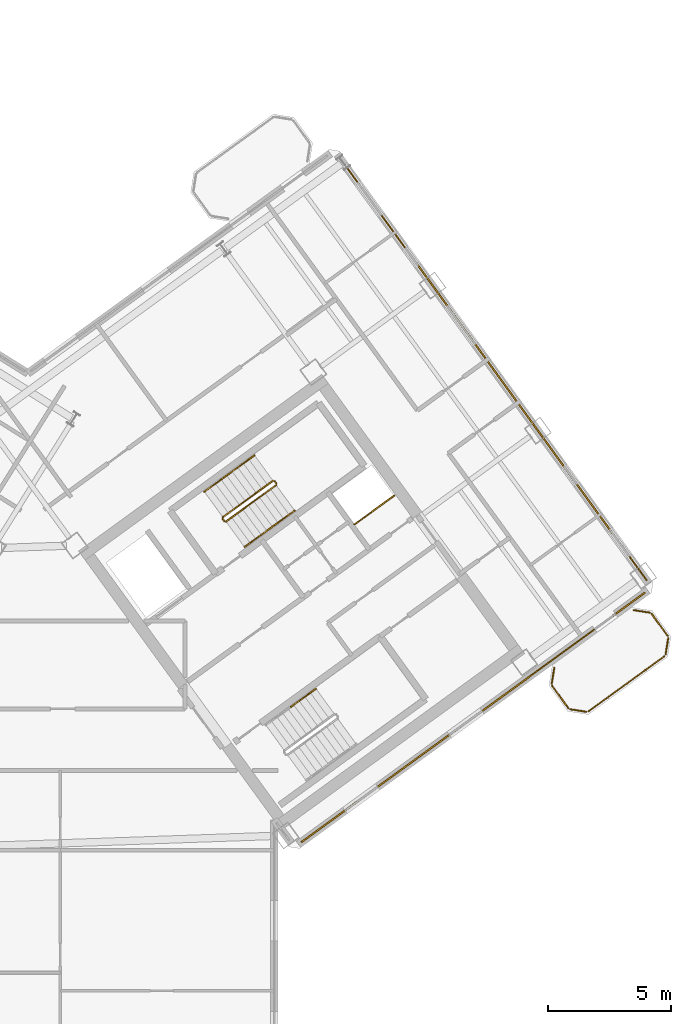
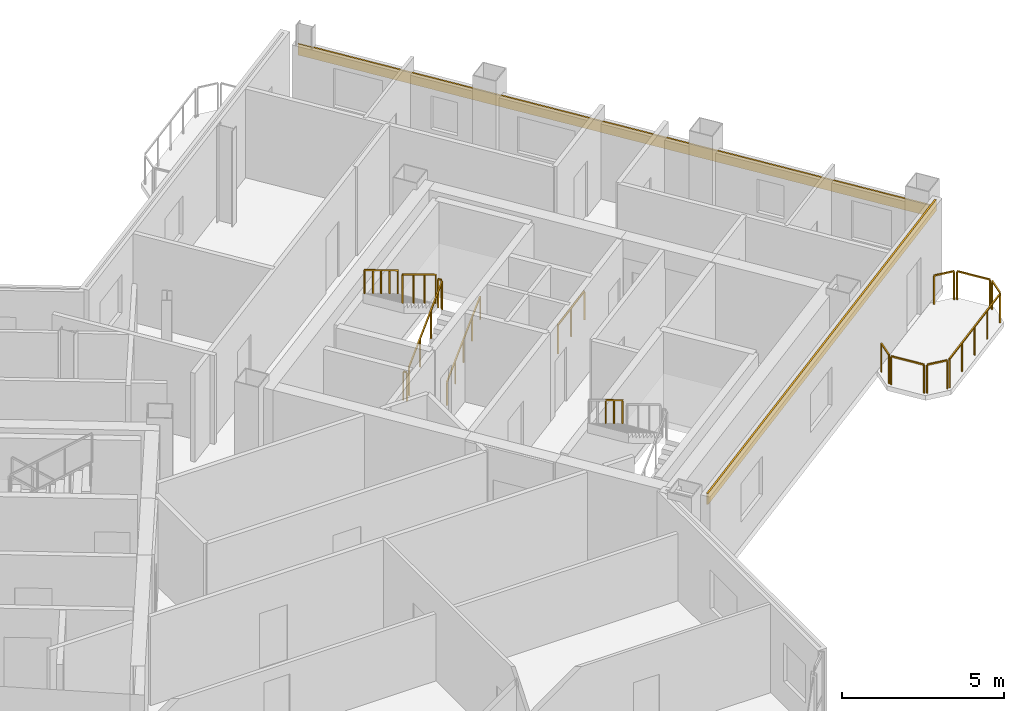
# One storey, part 20 of 21: 17 railings, 2 coverings.
"""IFC4 building model written with IfcOpenShell, lengths in metres."""

import ifcopenshell
import ifcopenshell.guid

model = None  # the IFC model being written
_history = None  # IfcOwnerHistory: only IFC2X3 demands one
_inside = {}  # id of a spatial element -> (the spatial element, [elements in it])
_under = {}  # id of a project, library or spatial element -> (it, [spatial elements below it])
_declared = {}  # id of a project -> (the project, [libraries it declares])
_typed = {}  # id of a type object -> (the type object, [elements of that type])
_made_of = {}  # id of a material, layer set ... -> (it, [elements and type objects made of it])


def new_model(schema):
    """Start an empty IFC model of exactly this schema.

    Asked for "IFC4X3", IfcOpenShell would pick the latest addendum, in which some entities
    have other attributes; the version numbers below select the first issue.
    IFC2X3 requires an IfcOwnerHistory on every rooted entity: one is made here for all.
    """
    global model, _history
    if schema == "IFC4X3":
        model = ifcopenshell.file(schema_version=(4, 3, 0, 0))
    else:
        model = ifcopenshell.file(schema=schema)
    _inside.clear()
    _under.clear()
    _declared.clear()
    _typed.clear()
    _made_of.clear()
    _history = None
    if model.schema == "IFC2X3":
        org = make("IfcOrganization", Name="unknown")
        user = make(
            "IfcPersonAndOrganization",
            ThePerson=make("IfcPerson", FamilyName="unknown"),
            TheOrganization=org,
        )
        app = make(
            "IfcApplication",
            ApplicationDeveloper=org,
            Version="unknown",
            ApplicationFullName="unknown",
            ApplicationIdentifier="unknown",
        )
        _history = make(
            "IfcOwnerHistory",
            OwningUser=user,
            OwningApplication=app,
            ChangeAction="ADDED",
            CreationDate=0,
        )
    return model


def make(cls, **values):
    """One entity of the class cls with the attributes given. An attribute that is None is left unset."""
    return model.create_entity(
        cls, **{name: value for name, value in values.items() if value is not None}
    )


def rooted(cls, **values):
    """An entity with a GlobalId (a new one), such as an element, a storey or a relation."""
    return make(cls, GlobalId=ifcopenshell.guid.new(), OwnerHistory=_history, **values)


def si_unit(unit_type, name, prefix=None):
    """IfcSIUnit, for example si_unit("LENGTHUNIT", "METRE", prefix="MILLI")."""
    return make("IfcSIUnit", UnitType=unit_type, Prefix=prefix, Name=name)


def assignment(units):
    """IfcUnitAssignment: the units of a project."""
    return None if units is None else make("IfcUnitAssignment", Units=units)


def point(xyz):
    """IfcCartesianPoint."""
    return None if xyz is None else make("IfcCartesianPoint", Coordinates=xyz)


def direction(xyz):
    """IfcDirection."""
    return None if xyz is None else make("IfcDirection", DirectionRatios=xyz)


def frame(location, z_axis=None, x_axis=None):
    """IfcAxis2Placement3D, a coordinate frame: its origin and axes. An axis left out is left unset."""
    return make(
        "IfcAxis2Placement3D",
        Location=point(location),
        Axis=direction(z_axis),
        RefDirection=direction(x_axis),
    )


def frame_2d(location, x_axis=None):
    """IfcAxis2Placement2D, a coordinate frame in the plane: its origin and x axis."""
    return make(
        "IfcAxis2Placement2D", Location=point(location), RefDirection=direction(x_axis)
    )


def origin():
    """The frame at (0, 0, 0) with its axes left unset."""
    return frame((0.0, 0.0, 0.0))


def origin_2d():
    """The frame at (0, 0) in the plane with its x axis left unset."""
    return frame_2d((0.0, 0.0))


def place(relative_to, where):
    """IfcLocalPlacement: puts the frame where relative to a parent placement (None: the world)."""
    return make(
        "IfcLocalPlacement", PlacementRelTo=relative_to, RelativePlacement=where
    )


def context(
    kind, dimensions, precision=None, world=None, true_north=None, identifier=None
):
    """IfcGeometricRepresentationContext, for example the 3D "Model" context."""
    return make(
        "IfcGeometricRepresentationContext",
        ContextIdentifier=identifier,
        ContextType=kind,
        CoordinateSpaceDimension=dimensions,
        Precision=precision,
        WorldCoordinateSystem=world,
        TrueNorth=true_north,
    )


def subcontext(parent, identifier, kind, view, scale=None):
    """IfcGeometricRepresentationSubContext, for example "Body" below "Model"."""
    return make(
        "IfcGeometricRepresentationSubContext",
        ContextIdentifier=identifier,
        ContextType=kind,
        ParentContext=parent,
        TargetScale=scale,
        TargetView=view,
    )


def project(units=None, contexts=None):
    """IfcProject with its units and contexts."""
    return rooted(
        "IfcProject",
        Name="project",
        RepresentationContexts=contexts,
        UnitsInContext=assignment(units),
    )


def spatial(cls, under=None, at=None, **own):
    """A site, building, storey or space (cls), placed at a placement, below another one or the project."""
    s = rooted(cls, ObjectPlacement=at, **own)
    if under is not None:
        _under.setdefault(under.id(), (under, []))[1].append(s)
    return s


def profile(cls, at=None, kind="AREA", **sizes):
    """A parametric profile (cls). Its sizes go by their IFC names, for example OverallWidth=200.0."""
    return make(cls, ProfileType=kind, Position=at, **sizes)


def rectangle(**sizes):
    """IfcRectangleProfileDef."""
    return profile("IfcRectangleProfileDef", **sizes)


def extrude(swept, where, along, depth):
    """IfcExtrudedAreaSolid: the profile swept, set in the frame where, extruded along a direction by depth."""
    return make(
        "IfcExtrudedAreaSolid",
        SweptArea=swept,
        Position=where,
        ExtrudedDirection=direction(along),
        Depth=depth,
    )


def shape(context_of_items, identifier, shape_type, items):
    """IfcShapeRepresentation: the items that make up one representation, for example the "Body"."""
    return make(
        "IfcShapeRepresentation",
        ContextOfItems=context_of_items,
        RepresentationIdentifier=identifier,
        RepresentationType=shape_type,
        Items=items,
    )


def source(mapping_origin, context_of_items, identifier, shape_type, items):
    """IfcRepresentationMap: a shape defined once, which mapped items show again and again."""
    return make(
        "IfcRepresentationMap",
        MappingOrigin=mapping_origin,
        MappedRepresentation=shape(context_of_items, identifier, shape_type, items),
    )


def transform(
    local_origin,
    x_axis=None,
    y_axis=None,
    z_axis=None,
    scale=None,
    scale2=None,
    scale3=None,
    uniform=True,
):
    """IfcCartesianTransformationOperator3D, or its non-uniform kind. x_axis, y_axis, z_axis: its Axis1, 2, 3."""
    if uniform:
        return make(
            "IfcCartesianTransformationOperator3D",
            Axis1=direction(x_axis),
            Axis2=direction(y_axis),
            LocalOrigin=point(local_origin),
            Scale=scale,
            Axis3=direction(z_axis),
        )
    return make(
        "IfcCartesianTransformationOperator3DnonUniform",
        Axis1=direction(x_axis),
        Axis2=direction(y_axis),
        LocalOrigin=point(local_origin),
        Scale=scale,
        Axis3=direction(z_axis),
        Scale2=scale2,
        Scale3=scale3,
    )


def mapped(mapping_source, mapping_target):
    """IfcMappedItem: shows the shape of a source again, moved by a transform."""
    return make(
        "IfcMappedItem", MappingSource=mapping_source, MappingTarget=mapping_target
    )


def material(Name=None, Category=None):
    """IfcMaterial."""
    return make("IfcMaterial", Name=Name, Category=Category)


def layer(
    of_material, thickness, ventilated=None, Name=None, Category=None, Priority=None
):
    """IfcMaterialLayer: one layer of a wall or slab, of a material (None: an air gap)."""
    return make(
        "IfcMaterialLayer",
        Material=of_material,
        LayerThickness=thickness,
        IsVentilated=ventilated,
        Name=Name,
        Category=Category,
        Priority=Priority,
    )


def layer_set(layers, Name=None):
    """IfcMaterialLayerSet."""
    return make("IfcMaterialLayerSet", MaterialLayers=layers, LayerSetName=Name)


def made_of(thing, what):
    """Note that an element or type object is made of a material, layer set ...; save() writes the relation."""
    if what is not None:
        _made_of.setdefault(what.id(), (what, []))[1].append(thing)
    return thing


def type_object(cls, material=None, **own):
    """A type object (cls), such as IfcWallType, which elements share."""
    return made_of(rooted(cls, **own), material)


def element(
    cls,
    number,
    at=None,
    inside=None,
    cuts=None,
    type_object=None,
    material=None,
    context=None,
    identifier="Body",
    shape_type=None,
    held_by="IfcProductDefinitionShape",
    body=None,
    shapes=None,
    **own,
):
    """One element of the class cls, such as IfcWall. Its Tag is "e" and its number.

    at: its placement. inside: the storey or other place that contains it. cuts: it is an
    opening in that element (IfcRelVoidsElement). A single representation is given by context,
    identifier, shape_type and body (its items); several are given by shapes. held_by: the class
    of the entity that holds the representations. save() writes the other relations.
    """
    e = rooted(cls, Tag="e%d" % number, ObjectPlacement=at, **own)
    if body is not None:
        shapes = [shape(context, identifier, shape_type, body)]
    if shapes is not None:
        e.Representation = make(held_by, Representations=shapes)
    if inside is not None:
        _inside.setdefault(inside.id(), (inside, []))[1].append(e)
    if cuts is not None:
        rooted(
            "IfcRelVoidsElement", RelatingBuildingElement=cuts, RelatedOpeningElement=e
        )
    if type_object is not None:
        _typed.setdefault(type_object.id(), (type_object, []))[1].append(e)
    return made_of(e, material)


def aggregate(whole, parts):
    """IfcRelAggregates: a whole, such as a stair, and the parts it consists of."""
    return rooted("IfcRelAggregates", RelatingObject=whole, RelatedObjects=parts)


def save(model, path):
    """Write the relations noted so far, then the file.

    IfcRelAggregates (storeys below a building ...), IfcRelContainedInSpatialStructure (elements
    in a storey), IfcRelDefinesByType, IfcRelAssociatesMaterial and IfcRelDeclares: one each for
    every whole, place, type object, material and project.
    """
    for whole, parts in _under.values():
        aggregate(whole, parts)
    for where, things in _inside.values():
        rooted(
            "IfcRelContainedInSpatialStructure",
            RelatedElements=things,
            RelatingStructure=where,
        )
    for kind, things in _typed.values():
        rooted("IfcRelDefinesByType", RelatedObjects=things, RelatingType=kind)
    for what, things in _made_of.values():
        rooted("IfcRelAssociatesMaterial", RelatedObjects=things, RelatingMaterial=what)
    for by, libraries in _declared.values():
        rooted("IfcRelDeclares", RelatingContext=by, RelatedDefinitions=libraries)
    model.write(path)


model = new_model("IFC4")

# Units and contexts
model_context = context("Model", 3, precision=1e-05, world=origin(), true_north=direction((0.0, 1.0)))
body_context = subcontext(model_context, "Body", "Model", "MODEL_VIEW")
ifc_project = project(units=[si_unit("LENGTHUNIT", "METRE"), si_unit("AREAUNIT", "SQUARE_METRE"), si_unit("VOLUMEUNIT", "CUBIC_METRE"), si_unit("PLANEANGLEUNIT", "RADIAN"), si_unit("MASSUNIT", "GRAM", prefix="KILO")], contexts=[model_context])

# Site, building, storey
site_placement = place(None, origin())
site = spatial("IfcSite", under=ifc_project, at=site_placement, CompositionType="ELEMENT")
building_placement = place(site_placement, origin())
building = spatial("IfcBuilding", under=site, at=building_placement, Name="Tlacorven Tower", CompositionType="ELEMENT")
storey_placement = place(building_placement, frame((0.0, 0.0, 207.60009765625)))
storey = spatial("IfcBuildingStorey", under=building, at=storey_placement, Name="L52", CompositionType="ELEMENT", Elevation=207.60009765625)

# Railings
ifc_material_1 = material(Name="Aluminium and painted steel balustrade", Category="steel")
railing_type_1 = type_object("IfcRailingType", Name="RL-GRD-1100", PredefinedType="GUARDRAIL", material=ifc_material_1)
shared_shape_1 = source(origin(), body_context, "Body", "SweptSolid", [
    extrude(rectangle(XDim=0.048095703125, YDim=0.048095703125, at=origin_2d()), frame((0.0, 0.0, 1.076171875), z_axis=(0.808947177504, 0.587881334972, 0.0), x_axis=(-0.587881334972, 0.808947177504, 0.0)), (0.0, 0.0, 1.0), 2.0),
    extrude(rectangle(XDim=0.0419921875, YDim=0.0419921875, at=origin_2d()), origin(), (0.0, 0.0, 1.0), 1.052001953125),
    extrude(rectangle(XDim=0.0419921875, YDim=0.0419921875, at=origin_2d()), frame((0.80908203125, 0.587890625, 0.0)), (0.0, 0.0, 1.0), 1.052001953125),
    extrude(rectangle(XDim=0.0419921875, YDim=0.0419921875, at=origin_2d()), frame((1.617919921875, 1.17578125, 0.0)), (0.0, 0.0, 1.0), 1.052001953125),
])
railing_1_placement = place(storey_placement, frame((55.506103515625, 25.438232421875, 0.0)))
element("IfcRailing", 1, at=railing_1_placement, inside=storey, type_object=railing_type_1, Name="L52 Electrical Riser E Shaft Guard 1", PredefinedType="GUARDRAIL", context=body_context, shape_type="MappedRepresentation", body=[
    mapped(shared_shape_1, transform((0.0, 0.0, 0.0), scale=1.0)),
])
railing_type_2 = type_object("IfcRailingType", Name="RL-BAL-1100", PredefinedType="BALUSTRADE", material=ifc_material_1)
shared_shape_2 = source(origin(), body_context, "Body", "SweptSolid", [
    extrude(rectangle(XDim=0.048095703125, YDim=0.048095703125, at=origin_2d()), frame((0.0, 0.0, 1.076171875), z_axis=(0.156602868908, 0.987661653326, 0.0), x_axis=(-0.987661653326, 0.156602868908, 0.0)), (0.0, 0.0, 1.0), 0.665771484375),
    extrude(rectangle(XDim=0.0419921875, YDim=0.0419921875, at=origin_2d()), origin(), (0.0, 0.0, 1.0), 1.052001953125),
    extrude(rectangle(XDim=0.0419921875, YDim=0.0419921875, at=origin_2d()), frame((0.104248046875, 0.657470703125, 0.0)), (0.0, 0.0, 1.0), 1.052001953125),
])
railing_2_placement = place(storey_placement, frame((63.539306640625, 18.949951171875, 0.0)))
element("IfcRailing", 2, at=railing_2_placement, inside=storey, type_object=railing_type_2, Name="BAL-L52-E-OUT Guard Railing 3", PredefinedType="BALUSTRADE", context=body_context, shape_type="MappedRepresentation", body=[
    mapped(shared_shape_2, transform((0.0, 0.0, 0.0), scale=1.0)),
])
shared_shape_3 = source(origin(), body_context, "Body", "SweptSolid", [
    extrude(rectangle(XDim=0.048095703125, YDim=0.048095703125, at=origin_2d()), frame((0.0, 0.0, 1.076171875), z_axis=(0.58788449985, -0.808944877501, 0.0), x_axis=(0.808944877501, 0.58788449985, 0.0)), (0.0, 0.0, 1.0), 1.112060546875),
    extrude(rectangle(XDim=0.0419921875, YDim=0.0419921875, at=origin_2d()), origin(), (0.0, 0.0, 1.0), 1.052001953125),
    extrude(rectangle(XDim=0.0419921875, YDim=0.0419921875, at=origin_2d()), frame((0.65380859375, -0.899658203125, 0.0)), (0.0, 0.0, 1.0), 1.052001953125),
])
railing_3_placement = place(storey_placement, frame((67.60595703125, 21.799072265625, 0.0)))
element("IfcRailing", 3, at=railing_3_placement, inside=storey, type_object=railing_type_2, Name="BAL-L52-E-OUT Guard Railing 5", PredefinedType="BALUSTRADE", context=body_context, shape_type="MappedRepresentation", body=[
    mapped(shared_shape_3, transform((0.0, 0.0, 0.0), scale=1.0)),
])
shared_shape_4 = source(origin(), body_context, "Body", "SweptSolid", [
    extrude(rectangle(XDim=0.048095703125, YDim=0.048095703125, at=origin_2d()), frame((0.0, 0.0, 1.076171875), z_axis=(-0.809018102573, -0.587783726986, 0.0), x_axis=(0.587783726986, -0.809018102573, 0.0)), (0.0, 0.0, 1.0), 3.817138671875),
    extrude(rectangle(XDim=0.0419921875, YDim=0.0419921875, at=origin_2d()), origin(), (0.0, 0.0, 1.0), 1.052001953125),
    extrude(rectangle(XDim=0.0419921875, YDim=0.0419921875, at=origin_2d()), frame((-0.77197265625, -0.56103515625, 0.0)), (0.0, 0.0, 1.0), 1.052001953125),
    extrude(rectangle(XDim=0.0419921875, YDim=0.0419921875, at=origin_2d()), frame((-1.5439453125, -1.121826171875, 0.0)), (0.0, 0.0, 1.0), 1.052001953125),
    extrude(rectangle(XDim=0.0419921875, YDim=0.0419921875, at=origin_2d()), frame((-2.316162109375, -1.6826171875, 0.0)), (0.0, 0.0, 1.0), 1.052001953125),
    extrude(rectangle(XDim=0.0419921875, YDim=0.0419921875, at=origin_2d()), frame((-3.088134765625, -2.24365234375, 0.0)), (0.0, 0.0, 1.0), 1.052001953125),
])
railing_4_placement = place(storey_placement, frame((68.12890625, 20.0732421875, 0.0)))
element("IfcRailing", 4, at=railing_4_placement, inside=storey, type_object=railing_type_2, Name="BAL-L52-E-OUT Guard Railing 7", PredefinedType="BALUSTRADE", context=body_context, shape_type="MappedRepresentation", body=[
    mapped(shared_shape_4, transform((0.0, 0.0, 0.0), scale=1.0)),
])
shared_shape_5 = source(origin(), body_context, "Body", "SweptSolid", [
    extrude(rectangle(XDim=0.048095703125, YDim=0.048095703125, at=origin_2d()), frame((0.0, 0.0, 1.076171875), z_axis=(-0.987718317463, 0.156245081039, 0.0), x_axis=(-0.156245081039, -0.987718317463, 0.0)), (0.0, 0.0, 1.0), 0.66552734375),
    extrude(rectangle(XDim=0.0419921875, YDim=0.0419921875, at=origin_2d()), origin(), (0.0, 0.0, 1.0), 1.052001953125),
    extrude(rectangle(XDim=0.0419921875, YDim=0.0419921875, at=origin_2d()), frame((-0.657470703125, 0.10400390625, 0.0)), (0.0, 0.0, 1.0), 1.052001953125),
])
railing_5_placement = place(storey_placement, frame((64.950927734375, 17.80810546875, 0.0)))
element("IfcRailing", 5, at=railing_5_placement, inside=storey, type_object=railing_type_2, Name="BAL-L52-E-OUT Guard Railing 1", PredefinedType="BALUSTRADE", context=body_context, shape_type="MappedRepresentation", body=[
    mapped(shared_shape_5, transform((0.0, 0.0, 0.0), scale=1.0)),
])
shared_shape_6 = source(origin(), body_context, "Body", "SweptSolid", [
    extrude(rectangle(XDim=0.048095703125, YDim=0.048095703125, at=origin_2d()), frame((0.0, 0.0, 1.076171875), z_axis=(-0.587740817519, 0.809049276263, 0.0), x_axis=(-0.809049276263, -0.587740817519, 0.0)), (0.0, 0.0, 1.0), 1.112060546875),
    extrude(rectangle(XDim=0.0419921875, YDim=0.0419921875, at=origin_2d()), origin(), (0.0, 0.0, 1.0), 1.052001953125),
    extrude(rectangle(XDim=0.0419921875, YDim=0.0419921875, at=origin_2d()), frame((-0.653564453125, 0.899658203125, 0.0)), (0.0, 0.0, 1.0), 1.052001953125),
])
railing_6_placement = place(storey_placement, frame((64.214599609375, 17.96044921875, 0.0)))
element("IfcRailing", 6, at=railing_6_placement, inside=storey, type_object=railing_type_2, Name="BAL-L52-E-OUT Guard Railing 2", PredefinedType="BALUSTRADE", context=body_context, shape_type="MappedRepresentation", body=[
    mapped(shared_shape_6, transform((0.0, 0.0, 0.0), scale=1.0)),
])
shared_shape_7 = source(origin(), body_context, "Body", "SweptSolid", [
    extrude(rectangle(XDim=0.048095703125, YDim=0.048095703125, at=origin_2d()), frame((0.0, 0.0, 1.076171875), z_axis=(-0.156245081039, -0.987718317463, 0.0), x_axis=(0.987718317463, -0.156245081039, 0.0)), (0.0, 0.0, 1.0), 0.66552734375),
    extrude(rectangle(XDim=0.0419921875, YDim=0.0419921875, at=origin_2d()), origin(), (0.0, 0.0, 1.0), 1.052001953125),
    extrude(rectangle(XDim=0.0419921875, YDim=0.0419921875, at=origin_2d()), frame((-0.10400390625, -0.657470703125, 0.0)), (0.0, 0.0, 1.0), 1.052001953125),
])
railing_7_placement = place(storey_placement, frame((68.28125, 20.8095703125, 0.0)))
element("IfcRailing", 7, at=railing_7_placement, inside=storey, type_object=railing_type_2, Name="BAL-L52-E-OUT Guard Railing 6", PredefinedType="BALUSTRADE", context=body_context, shape_type="MappedRepresentation", body=[
    mapped(shared_shape_7, transform((0.0, 0.0, 0.0), scale=1.0)),
])

# Coverings
ifc_material_2 = material(Name="Precast concrete C45/55", Category="concrete")
ifc_layer = layer(ifc_material_2, 0.06005859375)
ifc_layer_set = layer_set([ifc_layer], Name="Precast concrete C45/55")
covering_type = type_object("IfcCoveringType", Name="CV-CLD-TERC", PredefinedType="CLADDING", material=ifc_layer_set)
shared_shape_8 = source(origin(), body_context, "Body", "SweptSolid", [
    extrude(rectangle(XDim=21.287353515625, YDim=0.06005859375, at=origin_2d()), origin(), (0.0, 0.0, 1.0), 0.419921875),
])
covering_1_placement = place(storey_placement, frame((61.15478515625, 31.767333984375, 2.405029296875), z_axis=(0.0, 0.0, 1.0), x_axis=(0.587785363163, -0.809016913823, 0.0)))
element("IfcCovering", 8, at=covering_1_placement, inside=storey, type_object=covering_type, Name="L52 Masonry-Frame Spandrel Cladding 5", PredefinedType="CLADDING", context=body_context, shape_type="MappedRepresentation", body=[
    mapped(shared_shape_8, transform((0.0, 0.0, 0.0), scale=1.0)),
])
shared_shape_9 = source(origin(), body_context, "Body", "SweptSolid", [
    extrude(rectangle(XDim=17.287353515625, YDim=0.06005859375, at=origin_2d()), origin(), (0.0, 0.0, 1.0), 0.419921875),
])
covering_2_placement = place(storey_placement, frame((60.339111328125, 17.578125, 2.929931640625), z_axis=(0.0, 0.0, 1.0), x_axis=(-0.809016829126, -0.587785479738, 0.0)))
element("IfcCovering", 9, at=covering_2_placement, inside=storey, type_object=covering_type, Name="L52 Masonry-Frame Spandrel Cladding 6", PredefinedType="CLADDING", context=body_context, shape_type="MappedRepresentation", body=[
    mapped(shared_shape_9, transform((0.0, 0.0, 0.0), scale=1.0)),
])

# Railings
shared_shape_10 = source(origin(), body_context, "Body", "SweptSolid", [
    extrude(rectangle(XDim=0.048095703125, YDim=0.048095703125, at=origin_2d()), frame((0.0, 0.0, 1.076171875), z_axis=(0.987727266442, -0.156188498702, 0.0), x_axis=(0.156188498702, 0.987727266442, 0.0)), (0.0, 0.0, 1.0), 0.665771484375),
    extrude(rectangle(XDim=0.0419921875, YDim=0.0419921875, at=origin_2d()), origin(), (0.0, 0.0, 1.0), 1.052001953125),
    extrude(rectangle(XDim=0.0419921875, YDim=0.0419921875, at=origin_2d()), frame((0.65771484375, -0.10400390625, 0.0)), (0.0, 0.0, 1.0), 1.052001953125),
])
railing_8_placement = place(storey_placement, frame((66.86962890625, 21.951416015625, 0.0)))
element("IfcRailing", 10, at=railing_8_placement, inside=storey, type_object=railing_type_2, Name="BAL-L52-E-OUT Guard Railing 4", PredefinedType="BALUSTRADE", context=body_context, shape_type="MappedRepresentation", body=[
    mapped(shared_shape_10, transform((0.0, 0.0, 0.0), scale=1.0)),
])
shared_shape_11 = source(origin(), body_context, "Body", "SweptSolid", [
    extrude(rectangle(XDim=0.048095703125, YDim=0.048095703125, at=origin_2d()), frame((0.0, 0.0, 1.076171875), z_axis=(-0.587201422542, 0.809440849824, 0.0), x_axis=(-0.809440849824, -0.587201422542, 0.0)), (0.0, 0.0, 1.0), 0.11962890625),
    extrude(rectangle(XDim=0.0419921875, YDim=0.0419921875, at=origin_2d()), origin(), (0.0, 0.0, 1.0), 1.052001953125),
    extrude(rectangle(XDim=0.0419921875, YDim=0.0419921875, at=origin_2d()), frame((-0.0703125, 0.096923828125, 0.0)), (0.0, 0.0, 1.0), 1.052001953125),
])
for number, where, name in (
    (11, (52.326904296875, 27.10888671875, 1.7998046875), "L52 ST-E1 stair guard 2"),
    (12, (50.207275390625, 25.56884765625, 0.0), "L52 ST-E1 stair guard 4"),
):
    element("IfcRailing", number, at=place(storey_placement, frame(where)), inside=storey, type_object=railing_type_1, Name=name, PredefinedType="GUARDRAIL", context=body_context, shape_type="MappedRepresentation", body=[
        mapped(shared_shape_11, transform((0.0, 0.0, 0.0), scale=1.0)),
    ])
railing_type_3 = type_object("IfcRailingType", Name="RL-HND-0900", PredefinedType="HANDRAIL", material=ifc_material_1)
shared_shape_12 = source(origin(), body_context, "Body", "SweptSolid", [
    extrude(rectangle(XDim=0.048095703125, YDim=0.048095703125, at=origin_2d()), frame((0.0, 0.0, 0.8759765625), z_axis=(0.680516055757, 0.494372502302, 0.540826891737), x_axis=(-0.587745292299, 0.809046025502, 0.0)), (0.0, 0.0, 1.0), 1.497802734375),
    extrude(rectangle(XDim=0.0419921875, YDim=0.0419921875, at=origin_2d()), origin(), (0.0, 0.0, 1.0), 0.851806640625),
    extrude(rectangle(XDim=0.0419921875, YDim=0.0419921875, at=origin_2d()), frame((0.509765625, 0.3701171875, 0.405029296875)), (0.0, 0.0, 1.0), 0.851806640625),
    extrude(rectangle(XDim=0.0419921875, YDim=0.0419921875, at=origin_2d()), frame((1.019287109375, 0.740478515625, 0.81005859375)), (0.0, 0.0, 1.0), 0.851806640625),
])
railing_9_placement = place(storey_placement, frame((51.029541015625, 24.522216796875, 0.179931640625)))
element("IfcRailing", 13, at=railing_9_placement, inside=storey, type_object=railing_type_3, Name="L52 ST-E1 stair handrail 1", PredefinedType="HANDRAIL", context=body_context, shape_type="MappedRepresentation", body=[
    mapped(shared_shape_12, transform((0.0, 0.0, 0.0), scale=1.0)),
])
shared_shape_13 = source(origin(), body_context, "Body", "SweptSolid", [
    extrude(rectangle(XDim=0.048095703125, YDim=0.048095703125, at=origin_2d()), frame((0.0, 0.0, 0.8759765625), z_axis=(-0.680461216233, -0.494495647917, 0.540783309093), x_axis=(0.587872112667, -0.808953879494, 0.0)), (0.0, 0.0, 1.0), 1.498046875),
    extrude(rectangle(XDim=0.0419921875, YDim=0.0419921875, at=origin_2d()), origin(), (0.0, 0.0, 1.0), 0.851806640625),
    extrude(rectangle(XDim=0.0419921875, YDim=0.0419921875, at=origin_2d()), frame((-0.509765625, -0.370361328125, 0.405029296875)), (0.0, 0.0, 1.0), 0.851806640625),
    extrude(rectangle(XDim=0.0419921875, YDim=0.0419921875, at=origin_2d()), frame((-1.019287109375, -0.74072265625, 0.81005859375)), (0.0, 0.0, 1.0), 0.851806640625),
])
railing_10_placement = place(storey_placement, frame((50.414794921875, 27.511962890625, 2.789794921875)))
element("IfcRailing", 14, at=railing_10_placement, inside=storey, type_object=railing_type_3, Name="L52 ST-E1 stair handrail 4", PredefinedType="HANDRAIL", context=body_context, shape_type="MappedRepresentation", body=[
    mapped(shared_shape_13, transform((0.0, 0.0, 0.0), scale=1.0)),
])
shared_shape_14 = source(origin(), body_context, "Body", "SweptSolid", [
    extrude(rectangle(XDim=0.048095703125, YDim=0.048095703125, at=origin_2d()), frame((0.0, 0.0, 1.076171875), z_axis=(0.680518627673, 0.494455869951, 0.540747436481), x_axis=(-0.5878087079, 0.808999952359, 0.0)), (0.0, 0.0, 1.0), 2.99560546875),
    extrude(rectangle(XDim=0.0419921875, YDim=0.0419921875, at=origin_2d()), origin(), (0.0, 0.0, 1.0), 1.052001953125),
    extrude(rectangle(XDim=0.0419921875, YDim=0.0419921875, at=origin_2d()), frame((0.679443359375, 0.49365234375, 0.5400390625)), (0.0, 0.0, 1.0), 1.052001953125),
    extrude(rectangle(XDim=0.0419921875, YDim=0.0419921875, at=origin_2d()), frame((1.359130859375, 0.987548828125, 1.079833984375)), (0.0, 0.0, 1.0), 1.052001953125),
    extrude(rectangle(XDim=0.0419921875, YDim=0.0419921875, at=origin_2d()), frame((2.03857421875, 1.481201171875, 1.619873046875)), (0.0, 0.0, 1.0), 1.052001953125),
])
railing_11_placement = place(storey_placement, frame((50.27734375, 25.557861328125, 0.179931640625)))
element("IfcRailing", 15, at=railing_11_placement, inside=storey, type_object=railing_type_1, Name="L52 ST-E1 stair guard 1", PredefinedType="GUARDRAIL", context=body_context, shape_type="MappedRepresentation", body=[
    mapped(shared_shape_14, transform((0.0, 0.0, 0.0), scale=1.0)),
])
shared_shape_15 = source(origin(), body_context, "Body", "SweptSolid", [
    extrude(rectangle(XDim=0.048095703125, YDim=0.048095703125, at=origin_2d()), frame((0.0, 0.0, 1.076171875), z_axis=(-0.680518627673, -0.494455869951, 0.540747436481), x_axis=(0.5878087079, -0.808999952359, 0.0)), (0.0, 0.0, 1.0), 2.99560546875),
    extrude(rectangle(XDim=0.0419921875, YDim=0.0419921875, at=origin_2d()), origin(), (0.0, 0.0, 1.0), 1.052001953125),
    extrude(rectangle(XDim=0.0419921875, YDim=0.0419921875, at=origin_2d()), frame((-0.679443359375, -0.49365234375, 0.5400390625)), (0.0, 0.0, 1.0), 1.052001953125),
    extrude(rectangle(XDim=0.0419921875, YDim=0.0419921875, at=origin_2d()), frame((-1.359130859375, -0.987548828125, 1.079833984375)), (0.0, 0.0, 1.0), 1.052001953125),
    extrude(rectangle(XDim=0.0419921875, YDim=0.0419921875, at=origin_2d()), frame((-2.03857421875, -1.481201171875, 1.619873046875)), (0.0, 0.0, 1.0), 1.052001953125),
])
railing_12_placement = place(storey_placement, frame((52.1865234375, 27.217041015625, 1.97998046875)))
element("IfcRailing", 16, at=railing_12_placement, inside=storey, type_object=railing_type_1, Name="L52 ST-E1 stair guard 3", PredefinedType="GUARDRAIL", context=body_context, shape_type="MappedRepresentation", body=[
    mapped(shared_shape_15, transform((0.0, 0.0, 0.0), scale=1.0)),
])
shared_shape_16 = source(origin(), body_context, "Body", "SweptSolid", [
    extrude(rectangle(XDim=0.048095703125, YDim=0.048095703125, at=origin_2d()), frame((0.0, 0.0, 0.8759765625), z_axis=(0.680608688748, 0.494484377792, 0.540608003012), x_axis=(-0.587779977844, 0.80902082646, 0.0)), (0.0, 0.0, 1.0), 1.498046875),
    extrude(rectangle(XDim=0.0419921875, YDim=0.0419921875, at=origin_2d()), origin(), (0.0, 0.0, 1.0), 0.851806640625),
    extrude(rectangle(XDim=0.0419921875, YDim=0.0419921875, at=origin_2d()), frame((0.509765625, 0.370361328125, 0.40478515625)), (0.0, 0.0, 1.0), 0.851806640625),
    extrude(rectangle(XDim=0.0419921875, YDim=0.0419921875, at=origin_2d()), frame((1.01953125, 0.74072265625, 0.809814453125)), (0.0, 0.0, 1.0), 0.851806640625),
])
railing_13_placement = place(storey_placement, frame((52.048828125, 25.2626953125, 0.989990234375)))
element("IfcRailing", 17, at=railing_13_placement, inside=storey, type_object=railing_type_3, Name="L52 ST-E1 stair handrail 2", PredefinedType="HANDRAIL", context=body_context, shape_type="MappedRepresentation", body=[
    mapped(shared_shape_16, transform((0.0, 0.0, 0.0), scale=1.0)),
])
shared_shape_17 = source(origin(), body_context, "Body", "SweptSolid", [
    extrude(rectangle(XDim=0.048095703125, YDim=0.048095703125, at=origin_2d()), frame((0.0, 0.0, 0.8759765625), z_axis=(-0.680663537655, -0.494361233168, 0.540651569541), x_axis=(0.587653156371, -0.809112951205, 0.0)), (0.0, 0.0, 1.0), 1.497802734375),
    extrude(rectangle(XDim=0.0419921875, YDim=0.0419921875, at=origin_2d()), origin(), (0.0, 0.0, 1.0), 0.851806640625),
    extrude(rectangle(XDim=0.0419921875, YDim=0.0419921875, at=origin_2d()), frame((-0.509765625, -0.3701171875, 0.40478515625)), (0.0, 0.0, 1.0), 0.851806640625),
    extrude(rectangle(XDim=0.0419921875, YDim=0.0419921875, at=origin_2d()), frame((-1.01953125, -0.740478515625, 0.809814453125)), (0.0, 0.0, 1.0), 0.851806640625),
])
railing_14_placement = place(storey_placement, frame((51.434326171875, 28.25244140625, 1.97998046875)))
element("IfcRailing", 18, at=railing_14_placement, inside=storey, type_object=railing_type_3, Name="L52 ST-E1 stair handrail 3", PredefinedType="HANDRAIL", context=body_context, shape_type="MappedRepresentation", body=[
    mapped(shared_shape_17, transform((0.0, 0.0, 0.0), scale=1.0)),
])
shared_shape_18 = source(origin(), body_context, "Body", "SweptSolid", [
    extrude(rectangle(XDim=0.048095703125, YDim=0.048095703125, at=origin_2d()), frame((0.0, 0.0, 0.8759765625), z_axis=(-0.680576044605, -0.494416082224, 0.54071155448), x_axis=(0.587745292299, -0.809046025502, 0.0)), (0.0, 0.0, 1.0), 1.497802734375),
    extrude(rectangle(XDim=0.0419921875, YDim=0.0419921875, at=origin_2d()), origin(), (0.0, 0.0, 1.0), 0.851806640625),
    extrude(rectangle(XDim=0.0419921875, YDim=0.0419921875, at=origin_2d()), frame((-0.509765625, -0.3701171875, 0.40478515625)), (0.0, 0.0, 1.0), 0.851806640625),
    extrude(rectangle(XDim=0.0419921875, YDim=0.0419921875, at=origin_2d()), frame((-1.019287109375, -0.740478515625, 0.809814453125)), (0.0, 0.0, 1.0), 0.851806640625),
])
railing_15_placement = place(storey_placement, frame((53.938232421875, 18.749267578125, 1.97998046875)))
element("IfcRailing", 19, at=railing_15_placement, inside=storey, type_object=railing_type_3, Name="L52 ST-E2 stair handrail 3", PredefinedType="HANDRAIL", context=body_context, shape_type="MappedRepresentation", body=[
    mapped(shared_shape_18, transform((0.0, 0.0, 0.0), scale=1.0)),
])

save(model, "model.ifc")
